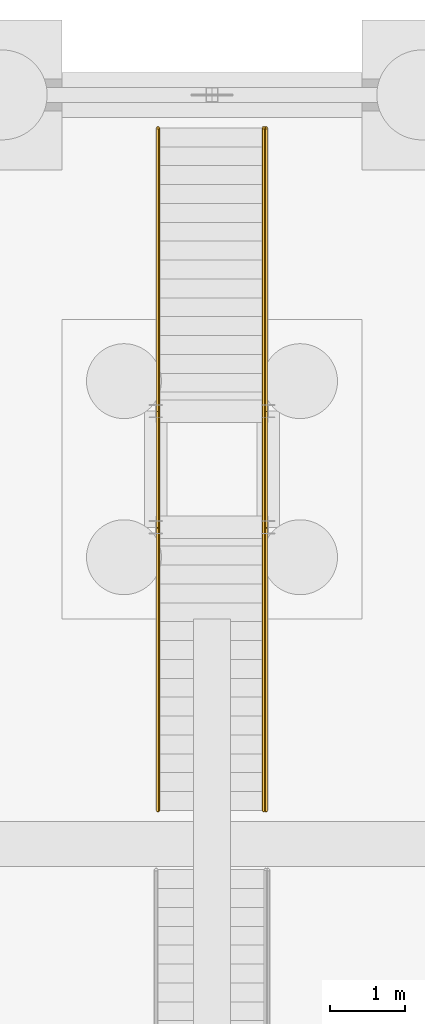
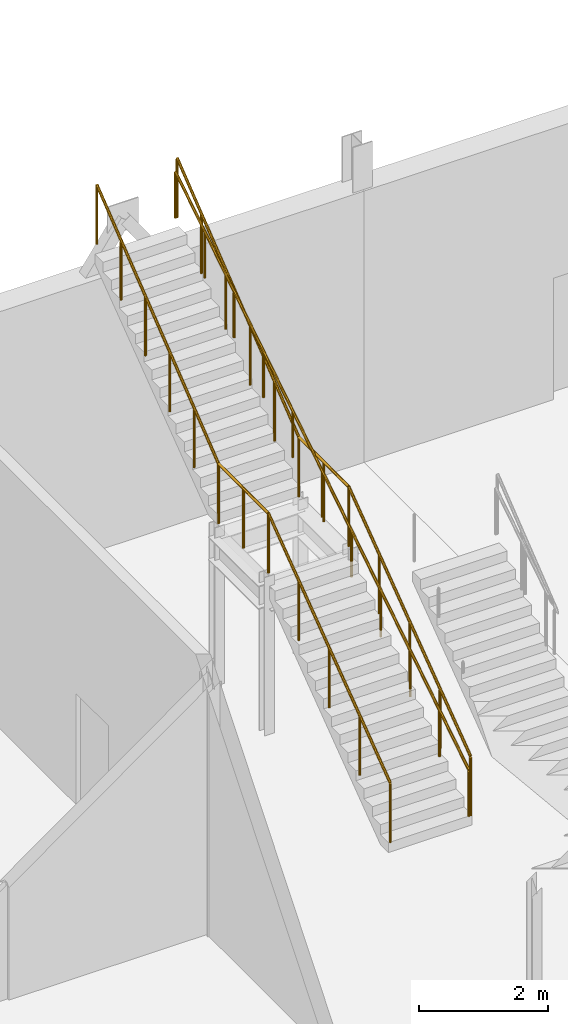
# One storey, part 138 of 139: 3 railings.
"""IFC4 building model written with IfcOpenShell, lengths in metres."""

from ifc_helpers import new_model, si_unit, direction, frame, origin, origin_2d, place, context, subcontext, project, spatial, circle, extrude, material, type_object, element, save


model = new_model("IFC4")

# Units and contexts
model_context = context("Model", 3, precision=1e-05, world=origin(), true_north=direction((0.0, 1.0)))
body_context = subcontext(model_context, "Body", "Model", "MODEL_VIEW")
ifc_project = project(units=[si_unit("LENGTHUNIT", "METRE"), si_unit("AREAUNIT", "SQUARE_METRE"), si_unit("VOLUMEUNIT", "CUBIC_METRE"), si_unit("PLANEANGLEUNIT", "RADIAN"), si_unit("MASSUNIT", "GRAM", prefix="KILO")], contexts=[model_context])

# Site, building, storey
site_placement = place(None, origin())
site = spatial("IfcSite", under=ifc_project, at=site_placement, CompositionType="ELEMENT")
building_placement = place(site_placement, origin())
building = spatial("IfcBuilding", under=site, at=building_placement, Name="Kazenagashi Tramway Depot", CompositionType="ELEMENT")
storey_placement = place(building_placement, origin())
storey = spatial("IfcBuildingStorey", under=building, at=storey_placement, Name="L01", CompositionType="ELEMENT", Elevation=0.0)

# Railings
ifc_material_1 = material(Name="Galvanised Painted Steel Balustrade", Category="steel")
railing_type_1 = type_object("IfcRailingType", Name="GR-01", PredefinedType="GUARDRAIL", material=ifc_material_1)
for number, where, name in (
    (1, (56.68, 120.45, 0.188), "Stair ST-33 W Side Guardrail"),
    (2, (58.12, 120.45, 0.188), "Stair ST-33 E Side Guardrail"),
):
    element("IfcRailing", number, at=place(storey_placement, frame(where)), inside=storey, type_object=railing_type_1, Name=name, PredefinedType="GUARDRAIL", context=body_context, shape_type="SweptSolid", body=[
        extrude(circle(Radius=0.024, at=origin_2d()), frame((0.0, 0.0, 1.126), z_axis=(0.0, 0.802337232767, 0.59687097845), x_axis=(-1.0, 0.0, 0.0)), (0.0, 0.0, 1.0), 4.711236),
        extrude(circle(Radius=0.024, at=origin_2d()), frame((0.0, 3.78, 3.938), z_axis=(0.0, 1.0, 0.0), x_axis=(-1.0, 0.0, 0.0)), (0.0, 0.0, 1.0), 1.55),
        extrude(circle(Radius=0.024, at=origin_2d()), frame((0.0, 5.33, 3.938), z_axis=(0.0, 0.783288903051, 0.621657859564), x_axis=(-1.0, 0.0, 0.0)), (0.0, 0.0, 1.0), 4.825806),
        extrude(circle(Radius=0.021, at=origin_2d()), origin(), (0.0, 0.0, 1.0), 1.102),
        extrude(circle(Radius=0.021, at=origin_2d()), frame((0.0, 0.945, 0.703)), (0.0, 0.0, 1.0), 1.102),
        extrude(circle(Radius=0.021, at=origin_2d()), frame((0.0, 1.89, 1.406)), (0.0, 0.0, 1.0), 1.102),
        extrude(circle(Radius=0.021, at=origin_2d()), frame((0.0, 2.835, 2.109)), (0.0, 0.0, 1.0), 1.102),
        extrude(circle(Radius=0.021, at=origin_2d()), frame((0.0, 3.78, 2.812)), (0.0, 0.0, 1.0), 1.102),
        extrude(circle(Radius=0.021, at=origin_2d()), frame((0.0, 4.555, 2.812)), (0.0, 0.0, 1.0), 1.102),
        extrude(circle(Radius=0.021, at=origin_2d()), frame((0.0, 5.33, 2.812)), (0.0, 0.0, 1.0), 1.102),
        extrude(circle(Radius=0.021, at=origin_2d()), frame((0.0, 6.086, 3.412)), (0.0, 0.0, 1.0), 1.102),
        extrude(circle(Radius=0.021, at=origin_2d()), frame((0.0, 6.842, 4.012)), (0.0, 0.0, 1.0), 1.102),
        extrude(circle(Radius=0.021, at=origin_2d()), frame((0.0, 7.598, 4.612)), (0.0, 0.0, 1.0), 1.102),
        extrude(circle(Radius=0.021, at=origin_2d()), frame((0.0, 8.354, 5.212)), (0.0, 0.0, 1.0), 1.102),
        extrude(circle(Radius=0.021, at=origin_2d()), frame((0.0, 9.11, 5.812)), (0.0, 0.0, 1.0), 1.102),
    ])
ifc_material_2 = material(Name="Brushed Stainless Steel Handrail", Category="steel")
railing_type_2 = type_object("IfcRailingType", Name="HR-01", PredefinedType="HANDRAIL", material=ifc_material_2)
railing_placement = place(storey_placement, frame((58.09, 120.45, 0.188)))
element("IfcRailing", 3, at=railing_placement, inside=storey, type_object=railing_type_2, Name="Stair ST-33 Handrail", PredefinedType="HANDRAIL", context=body_context, shape_type="SweptSolid", body=[
    extrude(circle(Radius=0.024, at=origin_2d()), frame((0.0, 0.0, 0.876), z_axis=(0.0, 0.843043630722, 0.537845179117), x_axis=(-1.0, 0.0, 0.0)), (0.0, 0.0, 1.0), 10.806084),
    extrude(circle(Radius=0.021, at=origin_2d()), origin(), (0.0, 0.0, 1.0), 0.852),
    extrude(circle(Radius=0.021, at=origin_2d()), frame((0.0, 0.911, 0.5812)), (0.0, 0.0, 1.0), 0.852),
    extrude(circle(Radius=0.021, at=origin_2d()), frame((0.0, 1.822, 1.1624)), (0.0, 0.0, 1.0), 0.852),
    extrude(circle(Radius=0.021, at=origin_2d()), frame((0.0, 2.733, 1.7436)), (0.0, 0.0, 1.0), 0.852),
    extrude(circle(Radius=0.021, at=origin_2d()), frame((0.0, 3.644, 2.3248)), (0.0, 0.0, 1.0), 0.852),
    extrude(circle(Radius=0.021, at=origin_2d()), frame((0.0, 4.555, 2.906)), (0.0, 0.0, 1.0), 0.852),
    extrude(circle(Radius=0.021, at=origin_2d()), frame((0.0, 5.466, 3.4872)), (0.0, 0.0, 1.0), 0.852),
    extrude(circle(Radius=0.021, at=origin_2d()), frame((0.0, 6.377, 4.0684)), (0.0, 0.0, 1.0), 0.852),
    extrude(circle(Radius=0.021, at=origin_2d()), frame((0.0, 7.288, 4.6496)), (0.0, 0.0, 1.0), 0.852),
    extrude(circle(Radius=0.021, at=origin_2d()), frame((0.0, 8.199, 5.2308)), (0.0, 0.0, 1.0), 0.852),
    extrude(circle(Radius=0.021, at=origin_2d()), frame((0.0, 9.11, 5.812)), (0.0, 0.0, 1.0), 0.852),
])

save(model, "model.ifc")
